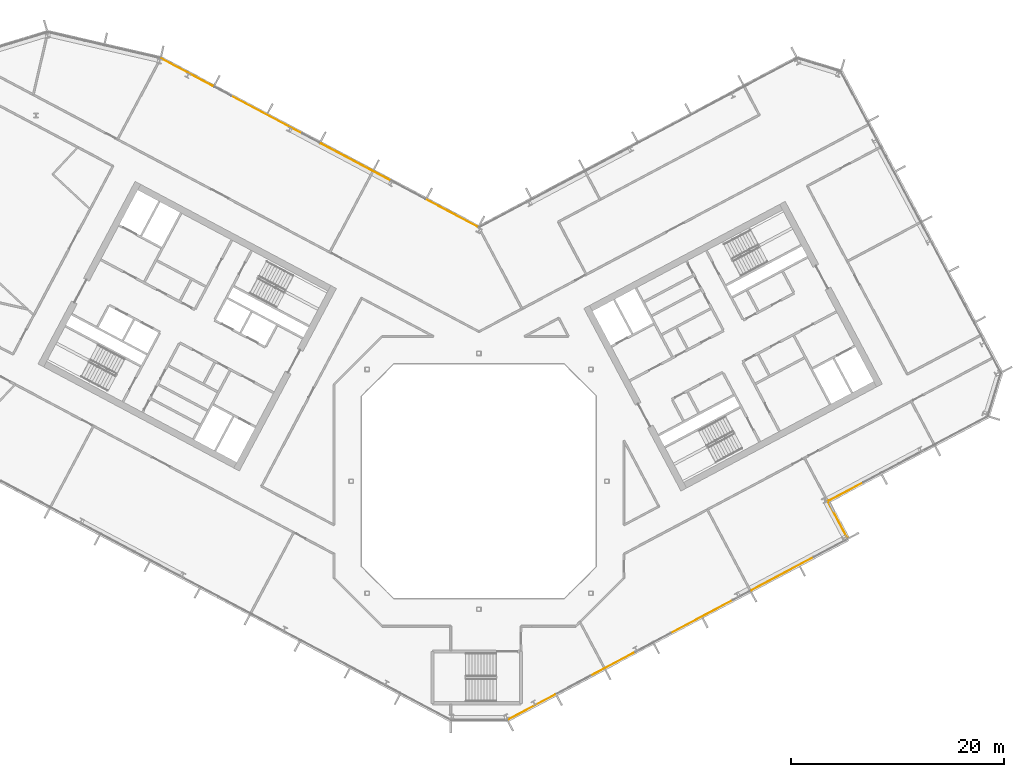
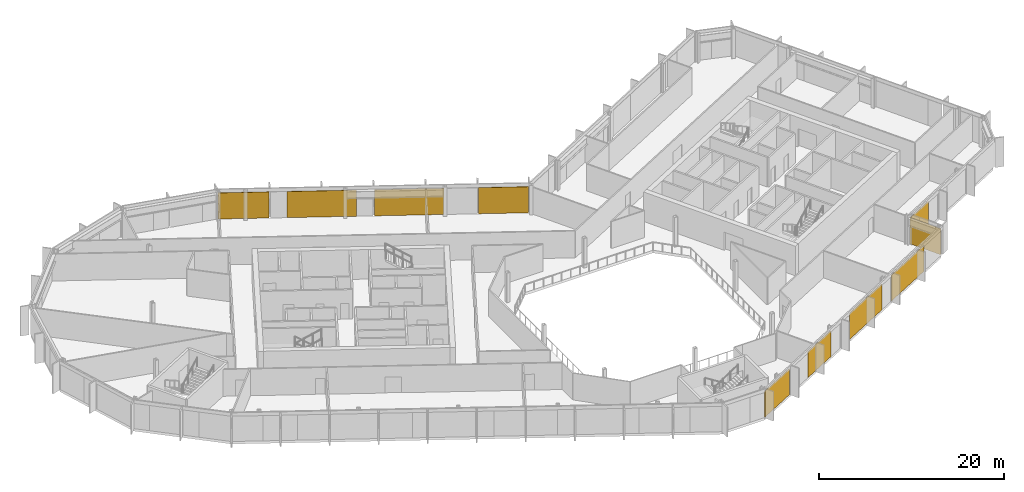
# One storey, part 23 of 26: 10 coverings, 4 elements without a shape of their own.
"""IFC4 building model written with IfcOpenShell, lengths in metres."""

from ifc_helpers import new_model, si_unit, direction, frame, origin, origin_2d, place, context, subcontext, project, spatial, rectangle, extrude, material, layer, layer_set, type_object, element, aggregate, save


model = new_model("IFC4")

# Units and contexts
model_context = context("Model", 3, precision=1e-05, world=origin(), true_north=direction((0.0, 1.0)))
body_context = subcontext(model_context, "Body", "Model", "MODEL_VIEW")
ifc_project = project(units=[si_unit("LENGTHUNIT", "METRE"), si_unit("AREAUNIT", "SQUARE_METRE"), si_unit("VOLUMEUNIT", "CUBIC_METRE"), si_unit("PLANEANGLEUNIT", "RADIAN"), si_unit("MASSUNIT", "GRAM", prefix="KILO")], contexts=[model_context])

# Site, building, storey
site_placement = place(None, origin())
site = spatial("IfcSite", under=ifc_project, at=site_placement, CompositionType="ELEMENT")
building_placement = place(site_placement, origin())
building = spatial("IfcBuilding", under=site, at=building_placement, Name="Cormorant Relay Tower", CompositionType="ELEMENT")
storey_placement = place(building_placement, frame((0.0, 0.0, 244.199951171875)))
storey = spatial("IfcBuildingStorey", under=building, at=storey_placement, Name="L54", CompositionType="ELEMENT", Elevation=244.199951171875)

# Curtain wall, coverings
ifc_material_1 = material(Name="Aluminium 6063-T6 anodised bronze", Category="aluminium")
ifc_layer_1 = layer(ifc_material_1, 0.199951171875)
ifc_layer_set_1 = layer_set([ifc_layer_1], Name="CW1 unitised bronze curtain wall with vertical fins")
curtain_wall_type = type_object("IfcCurtainWallType", Name="CW1 unitised bronze curtain wall with vertical fins", PredefinedType="NOTDEFINED", material=ifc_layer_set_1)
curtain_wall_1_placement = place(storey_placement, origin())
curtain_wall_1 = element("IfcCurtainWall", 1, at=curtain_wall_1_placement, inside=storey, type_object=curtain_wall_type, Name="CW1 curtain wall 2", PredefinedType="NOTDEFINED")
ifc_material_2 = material(Name="Pale bronze anodised aluminium insulated panel", Category="aluminium")
ifc_layer_2 = layer(ifc_material_2, 0.0400390625)
ifc_layer_set_2 = layer_set([ifc_layer_2], Name="CW1 pale bronze insulated panel 40")
covering_type = type_object("IfcCoveringType", Name="CW1 pale bronze insulated panel 40", PredefinedType="CLADDING", material=ifc_layer_set_2)
covering_1_placement = place(storey_placement, frame((4.939208984375, -21.180419921875, 0.0), z_axis=(0.0, 0.0, 1.0), x_axis=(0.882947592859, 0.469471562786, 0.0)))
covering_1 = element("IfcCovering", 2, at=covering_1_placement, type_object=covering_type, Name="CW1 panel S00", PredefinedType="CLADDING", context=body_context, shape_type="SweptSolid", body=[
    extrude(rectangle(XDim=5.0166015625, YDim=0.0400390625, at=origin_2d()), origin(), (0.0, 0.0, 1.0), 3.449951171875),
])
covering_2_placement = place(storey_placement, frame((12.576416015625, -17.11962890625, 0.0), z_axis=(0.0, 0.0, 1.0), x_axis=(0.882947592859, 0.469471562786, 0.0)))
covering_2 = element("IfcCovering", 3, at=covering_2_placement, type_object=covering_type, Name="CW1 panel S02", PredefinedType="CLADDING", context=body_context, shape_type="SweptSolid", body=[
    extrude(rectangle(XDim=4.783203125, YDim=0.0400390625, at=origin_2d()), origin(), (0.0, 0.0, 1.0), 3.449951171875),
])
covering_3_placement = place(storey_placement, frame((20.905517578125, -12.69091796875, 0.0), z_axis=(0.0, 0.0, 1.0), x_axis=(0.882947592859, 0.469471562786, 0.0)))
covering_3 = element("IfcCovering", 4, at=covering_3_placement, type_object=covering_type, Name="CW1 panel S05", PredefinedType="CLADDING", context=body_context, shape_type="SweptSolid", body=[
    extrude(rectangle(XDim=6.5830078125, YDim=0.0400390625, at=origin_2d()), origin(), (0.0, 0.0, 1.0), 3.449951171875),
])
covering_4_placement = place(storey_placement, frame((28.472900390625, -8.667236328125, 0.0), z_axis=(0.0, 0.0, 1.0), x_axis=(0.882947592859, 0.469471562786, 0.0)))
covering_4 = element("IfcCovering", 5, at=covering_4_placement, type_object=covering_type, Name="CW1 panel S07", PredefinedType="CLADDING", context=body_context, shape_type="SweptSolid", body=[
    extrude(rectangle(XDim=6.658203125, YDim=0.0400390625, at=origin_2d()), origin(), (0.0, 0.0, 1.0), 3.449951171875),
])
aggregate(curtain_wall_1, [covering_1, covering_2, covering_3, covering_4])

# Curtain wall, covering
curtain_wall_2_placement = place(storey_placement, origin())
curtain_wall_2 = element("IfcCurtainWall", 6, at=curtain_wall_2_placement, inside=storey, type_object=curtain_wall_type, Name="CW1 curtain wall 3", PredefinedType="NOTDEFINED")
covering_5_placement = place(storey_placement, frame((33.642578125, -3.58837890625, 0.0), z_axis=(0.0, 0.0, 1.0), x_axis=(-0.469471562786, 0.882947592859, 0.0)))
covering_5 = element("IfcCovering", 7, at=covering_5_placement, type_object=covering_type, Name="CW1 panel S00", PredefinedType="CLADDING", context=body_context, shape_type="SweptSolid", body=[
    extrude(rectangle(XDim=3.925048828125, YDim=0.0400390625, at=origin_2d()), origin(), (0.0, 0.0, 1.0), 3.449951171875),
])
aggregate(curtain_wall_2, [covering_5])

curtain_wall_3_placement = place(storey_placement, origin())
curtain_wall_3 = element("IfcCurtainWall", 8, at=curtain_wall_3_placement, inside=storey, type_object=curtain_wall_type, Name="CW1 curtain wall 4", PredefinedType="NOTDEFINED")
covering_6_placement = place(storey_placement, frame((34.453125, -0.957275390625, 0.0), z_axis=(0.0, 0.0, 1.0), x_axis=(0.882947592859, 0.469471562786, 0.0)))
covering_6 = element("IfcCovering", 9, at=covering_6_placement, type_object=covering_type, Name="CW1 panel S00", PredefinedType="CLADDING", context=body_context, shape_type="SweptSolid", body=[
    extrude(rectangle(XDim=3.6416015625, YDim=0.0400390625, at=origin_2d()), origin(), (0.0, 0.0, 1.0), 3.449951171875),
])
aggregate(curtain_wall_3, [covering_6])

# Curtain wall, coverings
curtain_wall_4_placement = place(storey_placement, origin())
curtain_wall_4 = element("IfcCurtainWall", 10, at=curtain_wall_4_placement, inside=storey, type_object=curtain_wall_type, Name="CW1 curtain wall 9", PredefinedType="NOTDEFINED")
covering_7_placement = place(storey_placement, frame((-2.51318359375, 25.142822265625, 0.0), z_axis=(0.0, 0.0, 1.0), x_axis=(-0.882947592859, 0.469471562786, 0.0)))
covering_7 = element("IfcCovering", 11, at=covering_7_placement, type_object=covering_type, Name="CW1 panel S00", PredefinedType="CLADDING", context=body_context, shape_type="SweptSolid", body=[
    extrude(rectangle(XDim=5.4140625, YDim=0.0400390625, at=origin_2d()), origin(), (0.0, 0.0, 1.0), 3.449951171875),
])
covering_8_placement = place(storey_placement, frame((-11.537841796875, 29.94140625, 0.0), z_axis=(0.0, 0.0, 1.0), x_axis=(-0.882947592859, 0.469471562786, 0.0)))
covering_8 = element("IfcCovering", 12, at=covering_8_placement, type_object=covering_type, Name="CW1 panel S02", PredefinedType="CLADDING", context=body_context, shape_type="SweptSolid", body=[
    extrude(rectangle(XDim=7.528076171875, YDim=0.0400390625, at=origin_2d()), origin(), (0.0, 0.0, 1.0), 3.449951171875),
])
covering_9_placement = place(storey_placement, frame((-19.906494140625, 34.39111328125, 0.0), z_axis=(0.0, 0.0, 1.0), x_axis=(-0.882947592859, 0.469471562786, 0.0)))
covering_9 = element("IfcCovering", 13, at=covering_9_placement, type_object=covering_type, Name="CW1 panel S04", PredefinedType="CLADDING", context=body_context, shape_type="SweptSolid", body=[
    extrude(rectangle(XDim=7.528076171875, YDim=0.0400390625, at=origin_2d()), origin(), (0.0, 0.0, 1.0), 3.449951171875),
])
covering_10_placement = place(storey_placement, frame((-27.407958984375, 38.379638671875, 0.0), z_axis=(0.0, 0.0, 1.0), x_axis=(-0.882947592859, 0.469471562786, 0.0)))
covering_10 = element("IfcCovering", 14, at=covering_10_placement, type_object=covering_type, Name="CW1 panel S06", PredefinedType="CLADDING", context=body_context, shape_type="SweptSolid", body=[
    extrude(rectangle(XDim=5.56396484375, YDim=0.0400390625, at=origin_2d()), origin(), (0.0, 0.0, 1.0), 3.449951171875),
])
aggregate(curtain_wall_4, [covering_7, covering_8, covering_9, covering_10])

save(model, "model.ifc")
